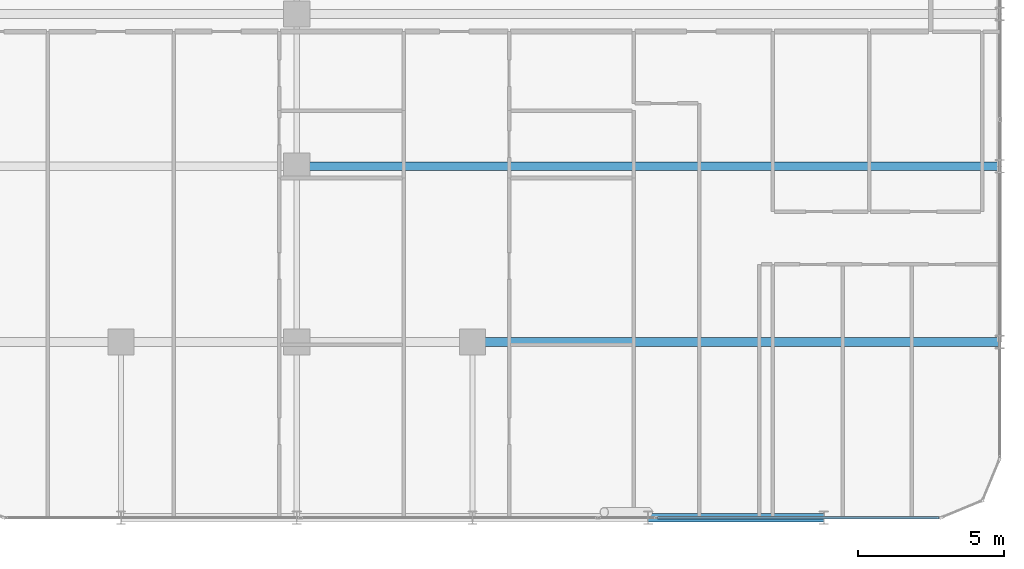
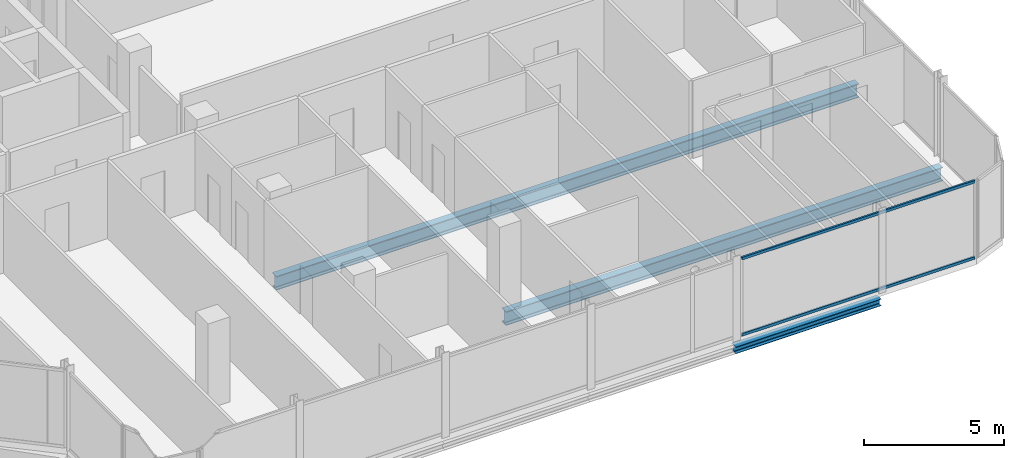
# One storey, part 11 of 29: 3 beams, 2 members, 1 element without a shape of its own.
"""IFC4 building model written with IfcOpenShell, lengths in metres."""

from ifc_helpers import new_model, si_unit, direction, frame, origin, origin_2d, place, context, subcontext, project, spatial, hollow_rectangle, i_section, extrude, material, layer, layer_set, material_profile, profile_set, type_object, element, aggregate, save


model = new_model("IFC4")

# Units and contexts
model_context = context("Model", 3, precision=1e-05, world=origin(), true_north=direction((0.0, 1.0)))
body_context = subcontext(model_context, "Body", "Model", "MODEL_VIEW")
ifc_project = project(units=[si_unit("LENGTHUNIT", "METRE"), si_unit("AREAUNIT", "SQUARE_METRE"), si_unit("VOLUMEUNIT", "CUBIC_METRE"), si_unit("PLANEANGLEUNIT", "RADIAN"), si_unit("MASSUNIT", "GRAM", prefix="KILO")], contexts=[model_context])

# Site, building, storey
site_placement = place(None, origin())
site = spatial("IfcSite", under=ifc_project, at=site_placement, CompositionType="ELEMENT")
building_placement = place(site_placement, origin())
building = spatial("IfcBuilding", under=site, at=building_placement, Name="Keshet Zoharim Tower", CompositionType="ELEMENT")
storey_placement = place(building_placement, frame((0.0, 0.0, 199.5)))
storey = spatial("IfcBuildingStorey", under=building, at=storey_placement, Name="L49", CompositionType="ELEMENT", Elevation=199.5)

# Beams
ifc_material_1 = material(Name="Steel S355", Category="steel")
ifc_material_profile_1 = material_profile(ifc_material_1, i_section(OverallWidth=0.300048828125, OverallDepth=0.60009765625, WebThickness=0.015380859375, FlangeThickness=0.030029296875, FilletRadius=0.027099609375, at=origin_2d()), Name="HEB600")
ifc_profile_set_1 = profile_set([ifc_material_profile_1], Name="Steel S355")
beam_type_1 = type_object("IfcBeamType", Name="BM-LNG-HB600", PredefinedType="BEAM", material=ifc_profile_set_1)
beam_1_placement = place(storey_placement, frame((39.0, 6.699951171875, -0.610107421875), z_axis=(1.0, 0.0, 0.0), x_axis=(0.0, 1.0, 0.0)))
element("IfcBeam", 1, at=beam_1_placement, inside=storey, type_object=beam_type_1, Name="L49 Primary Girder X-008", PredefinedType="BEAM", context=body_context, shape_type="SweptSolid", body=[
    extrude(i_section(OverallWidth=0.300048828125, OverallDepth=0.60009765625, WebThickness=0.015380859375, FlangeThickness=0.030029296875, FilletRadius=0.027099609375, at=origin_2d()), origin(), (0.0, 0.0, 1.0), 18.0),
])
beam_2_placement = place(storey_placement, frame((33.0, 12.699951171875, -0.610107421875), z_axis=(1.0, 0.0, 0.0), x_axis=(0.0, 1.0, 0.0)))
element("IfcBeam", 2, at=beam_2_placement, inside=storey, type_object=beam_type_1, Name="L49 Primary Girder X-010", PredefinedType="BEAM", context=body_context, shape_type="SweptSolid", body=[
    extrude(i_section(OverallWidth=0.300048828125, OverallDepth=0.60009765625, WebThickness=0.015380859375, FlangeThickness=0.030029296875, FilletRadius=0.027099609375, at=origin_2d()), origin(), (0.0, 0.0, 1.0), 24.0),
])
ifc_material_profile_2 = material_profile(ifc_material_1, i_section(OverallWidth=0.300048828125, OverallDepth=0.300048828125, WebThickness=0.010986328125, FlangeThickness=0.01904296875, FilletRadius=0.027099609375, at=origin_2d()), Name="HEB300")
ifc_profile_set_2 = profile_set([ifc_material_profile_2], Name="Steel S355")
beam_type_2 = type_object("IfcBeamType", Name="BM-PRI-HB300", PredefinedType="BEAM", material=ifc_profile_set_2)
beam_3_placement = place(storey_placement, frame((45.0, 0.699951171875, -0.4599609375), z_axis=(1.0, 0.0, 0.0), x_axis=(0.0, 1.0, 0.0)))
element("IfcBeam", 3, at=beam_3_placement, inside=storey, type_object=beam_type_2, Name="L49 Primary Girder X-004", PredefinedType="BEAM", context=body_context, shape_type="SweptSolid", body=[
    extrude(i_section(OverallWidth=0.300048828125, OverallDepth=0.300048828125, WebThickness=0.010986328125, FlangeThickness=0.01904296875, FilletRadius=0.027099609375, at=origin_2d()), origin(), (0.0, 0.0, 1.0), 6.0),
])

# Curtain wall, members
ifc_material_2 = material(Name="Aluminium 6063-T6", Category="aluminium")
ifc_layer = layer(ifc_material_2, 0.139892578125)
ifc_layer_set = layer_set([ifc_layer], Name="Aluminium 6063-T6")
curtain_wall_type = type_object("IfcCurtainWallType", Name="CW-SYS-05", PredefinedType="NOTDEFINED", material=ifc_layer_set)
curtain_wall_placement = place(storey_placement, origin())
curtain_wall = element("IfcCurtainWall", 4, at=curtain_wall_placement, inside=storey, type_object=curtain_wall_type, Name="L49 Unitised Curtain Wall 06", PredefinedType="NOTDEFINED")
ifc_material_profile_3 = material_profile(ifc_material_2, hollow_rectangle(XDim=0.074951171875, YDim=0.1201171875, WallThickness=0.00390625, at=origin_2d()), Name="TRN-75x120")
ifc_profile_set_3 = profile_set([ifc_material_profile_3], Name="Aluminium 6063-T6")
member_type = type_object("IfcMemberType", Name="CWT-T12", PredefinedType="USERDEFINED", material=ifc_profile_set_3)
member_1_placement = place(storey_placement, frame((54.929931640625, 0.699951171875, 0.034912109375), z_axis=(-1.0, 0.0, 0.0), x_axis=(0.0, -1.0, 0.0)))
member_1 = element("IfcMember", 5, at=member_1_placement, type_object=member_type, Name="CW-05 transom 1.1", ObjectType="TRANSOM", PredefinedType="USERDEFINED", context=body_context, shape_type="SweptSolid", body=[
    extrude(hollow_rectangle(XDim=0.074951171875, YDim=0.1201171875, WallThickness=0.00390625, at=origin_2d()), origin(), (0.0, 0.0, 1.0), 9.61181640625),
])
member_2_placement = place(storey_placement, frame((54.929931640625, 0.699951171875, 3.35498046875), z_axis=(-1.0, 0.0, 0.0), x_axis=(0.0, -1.0, 0.0)))
member_2 = element("IfcMember", 6, at=member_2_placement, type_object=member_type, Name="CW-05 transom 1.2", ObjectType="TRANSOM", PredefinedType="USERDEFINED", context=body_context, shape_type="SweptSolid", body=[
    extrude(hollow_rectangle(XDim=0.074951171875, YDim=0.1201171875, WallThickness=0.00390625, at=origin_2d()), origin(), (0.0, 0.0, 1.0), 9.61181640625),
])
aggregate(curtain_wall, [member_1, member_2])

save(model, "model.ifc")
